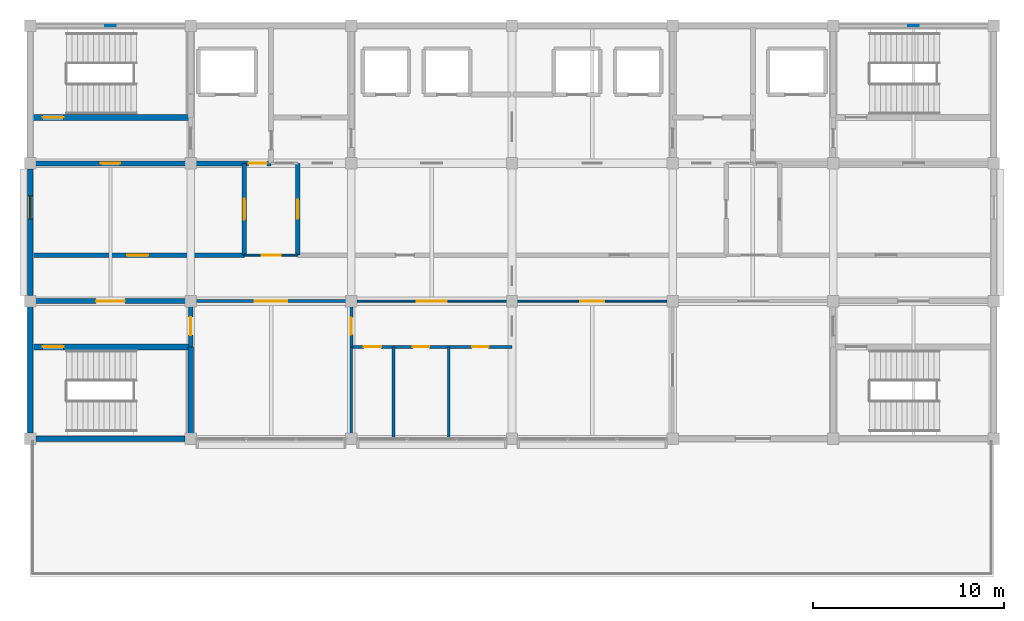
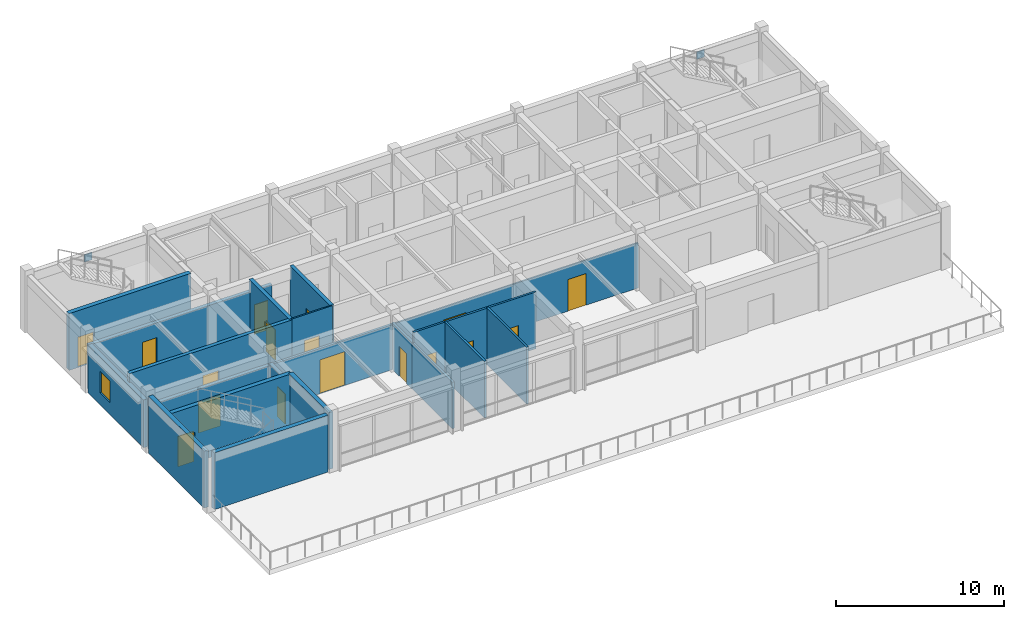
# One storey, part 6 of 11: 20 walls, 17 doors, 2 plates, 1 window, 18 openings.
"""IFC4 building model written with IfcOpenShell, lengths in metres."""

from ifc_helpers import new_model, si_unit, direction, frame, frame_2d, origin, origin_2d, place, context, subcontext, project, spatial, rectangle, extrude, material, layer, layer_set, type_object, element, fill, save


model = new_model("IFC4")

# Units and contexts
model_context = context("Model", 3, precision=1e-05, world=origin(), true_north=direction((0.0, 1.0)))
body_context = subcontext(model_context, "Body", "Model", "MODEL_VIEW")
ifc_project = project(units=[si_unit("LENGTHUNIT", "METRE"), si_unit("AREAUNIT", "SQUARE_METRE"), si_unit("VOLUMEUNIT", "CUBIC_METRE"), si_unit("PLANEANGLEUNIT", "RADIAN"), si_unit("MASSUNIT", "GRAM", prefix="KILO")], contexts=[model_context])

# Site, building, storey
site_placement = place(None, origin())
site = spatial("IfcSite", under=ifc_project, at=site_placement, CompositionType="ELEMENT")
building_placement = place(site_placement, origin())
building = spatial("IfcBuilding", under=site, at=building_placement, Name="Chengyuan Square Courthouse", CompositionType="ELEMENT")
storey_placement = place(building_placement, frame((0.0, 0.0, 68.699951171875)))
storey = spatial("IfcBuildingStorey", under=building, at=storey_placement, Name="L16", CompositionType="ELEMENT", Elevation=68.699951171875)

# Plates
ifc_material_1 = material(Name="Steel Q355B", Category="steel")
ifc_layer_1 = layer(ifc_material_1, 0.0400390625)
ifc_layer_set_1 = layer_set([ifc_layer_1], Name="Steel Q355B")
plate_type = type_object("IfcPlateType", Name="GP-03", PredefinedType="SHEET", material=ifc_layer_set_1)
for number, where, z_axis, x_axis, name in (
    (1, (63.0, 108.0, 3.5), (0.0, 0.0, 1.0), (1.0, 0.0, 0.0), "Brace Gusset Plate GP-L16-07"),
    (2, (105.0, 108.0, 3.5), (0.0, 0.0, 1.0), (1.0, 0.0, 0.0), "Brace Gusset Plate GP-L16-12"),
):
    element("IfcPlate", number, at=place(storey_placement, frame(where, z_axis=z_axis, x_axis=x_axis)), inside=storey, type_object=plate_type, Name=name, PredefinedType="SHEET", context=body_context, shape_type="SweptSolid", body=[
        extrude(rectangle(XDim=0.5400390625, YDim=0.0400390625, at=origin_2d()), origin(), (0.0, 0.0, 1.0), 0.5400390625),
    ])

# Wall, opening, window
ifc_material_2 = material(Name="Concrete C40", Category="concrete")
ifc_layer_2 = layer(ifc_material_2, 0.280029296875)
ifc_layer_set_2 = layer_set([ifc_layer_2], Name="Concrete C40")
wall_type_1 = type_object("IfcWallType", Name="WL-EW4", PredefinedType="STANDARD", material=ifc_layer_set_2)
wall_1_placement = place(storey_placement, frame((58.800048828125, 93.89501953125, 0.0), z_axis=(0.0, 0.0, 1.0), x_axis=(0.0, 1.0, 0.0)))
wall_1 = element("IfcWall", 3, at=wall_1_placement, inside=storey, type_object=wall_type_1, Name="Exterior Wall WL-L16-E538", PredefinedType="STANDARD", context=body_context, shape_type="SweptSolid", body=[
    extrude(rectangle(XDim=6.60986328125, YDim=0.280029296875, at=frame_2d((3.304931640625, 0.0))), origin(), (0.0, 0.0, 1.0), 3.469970703125),
])
opening_1_placement = place(wall_1_placement, frame((4.0048828125, 0.0, 0.85009765625)))
opening_1 = element("IfcOpeningElement", 4, at=opening_1_placement, cuts=wall_1, Name="Opening WN-246", PredefinedType="OPENING", context=body_context, shape_type="SweptSolid", body=[
    extrude(rectangle(XDim=1.199951171875, YDim=1.56005859375, at=frame_2d((0.60009765625, 0.780029296875))), frame((0.0, 0.152099609375, 0.0), z_axis=(0.0, -1.0, 0.0), x_axis=(1.0, 0.0, 0.0)), (0.0, 0.0, 1.0), 0.303955078125),
])
ifc_material_3 = material(Name="Thermally Broken Aluminium Triple Low-E Window", Category="aluminium")
window_type = type_object("IfcWindowType", Name="WT-15", PartitioningType="SINGLE_PANEL", PredefinedType="WINDOW", material=ifc_material_3)
window_placement = place(opening_1_placement, origin())
window = element("IfcWindow", 5, at=window_placement, inside=storey, type_object=window_type, Name="Facade Window WN-246", OverallHeight=1.56005859375, OverallWidth=1.199951171875, PartitioningType="SINGLE_PANEL", PredefinedType="WINDOW", context=body_context, shape_type="SweptSolid", body=[
    extrude(rectangle(XDim=1.199951171875, YDim=1.56005859375, at=frame_2d((0.60009765625, 0.780029296875))), frame((0.0, 0.030029296875, 0.0), z_axis=(0.0, -1.0, 0.0), x_axis=(1.0, 0.0, 0.0)), (0.0, 0.0, 1.0), 0.06005859375),
])
fill(opening_1, window)

# Wall, opening, door
ifc_layer_3 = layer(ifc_material_2, 0.25)
ifc_layer_set_3 = layer_set([ifc_layer_3], Name="Concrete C40")
wall_type_2 = type_object("IfcWallType", Name="WL-FW1", PredefinedType="STANDARD", material=ifc_layer_set_3)
wall_2_placement = place(storey_placement, frame((58.840087890625, 93.60009765625, 0.0), z_axis=(0.0, 0.0, 1.0), x_axis=(1.0, 0.0, 0.0)))
wall_2 = element("IfcWall", 6, at=wall_2_placement, inside=storey, type_object=wall_type_2, Name="Interior Wall WL-L16-I4088", PredefinedType="STANDARD", context=body_context, shape_type="SweptSolid", body=[
    extrude(rectangle(XDim=8.35986328125, YDim=0.25, at=frame_2d((4.179931640625, 0.0))), origin(), (0.0, 0.0, 1.0), 3.27001953125),
])
opening_2_placement = place(wall_2_placement, frame((3.409912109375, 0.0, 0.0)))
opening_2 = element("IfcOpeningElement", 7, at=opening_2_placement, cuts=wall_2, Name="Opening DR-3378", PredefinedType="OPENING", context=body_context, shape_type="SweptSolid", body=[
    extrude(rectangle(XDim=1.5, YDim=2.25, at=frame_2d((0.75, 1.125))), frame((0.0, 0.136962890625, 0.0), z_axis=(0.0, -1.0, 0.0), x_axis=(1.0, 0.0, 0.0)), (0.0, 0.0, 1.0), 0.27392578125),
])
ifc_material_4 = material(Name="Steel Q235B Glazed Fire Door", Category="steel")
door_type_1 = type_object("IfcDoorType", Name="DT-19", OperationType="DOUBLE_DOOR_SINGLE_SWING", PredefinedType="DOOR", material=ifc_material_4)
door_1_placement = place(opening_2_placement, frame((1.5, 0.0, 0.0), z_axis=(0.0, 0.0, 1.0), x_axis=(-1.0, 0.0, 0.0)))
door_1 = element("IfcDoor", 8, at=door_1_placement, inside=storey, type_object=door_type_1, Name="Interior Door DR-3378", OperationType="DOUBLE_DOOR_SINGLE_SWING", OverallHeight=2.25, OverallWidth=1.5, PredefinedType="DOOR", context=body_context, shape_type="SweptSolid", body=[
    extrude(rectangle(XDim=1.5, YDim=2.25, at=frame_2d((0.75, 1.125))), frame((0.0, 0.02490234375, 0.0), z_axis=(0.0, -1.0, 0.0), x_axis=(1.0, 0.0, 0.0)), (0.0, 0.0, 1.0), 0.050048828125),
])
fill(opening_2, door_1)

wall_3_placement = place(storey_placement, frame((58.840087890625, 96.0, 0.0), z_axis=(0.0, 0.0, 1.0), x_axis=(1.0, 0.0, 0.0)))
wall_3 = element("IfcWall", 9, at=wall_3_placement, inside=storey, type_object=wall_type_2, Name="Interior Wall WL-L16-I4093", PredefinedType="STANDARD", context=body_context, shape_type="SweptSolid", body=[
    extrude(rectangle(XDim=11.159912109375, YDim=0.25, at=frame_2d((5.580078125, 0.0))), origin(), (0.0, 0.0, 1.0), 4.1201171875),
])
opening_3_placement = place(wall_3_placement, frame((5.030029296875, 0.0, 0.0)))
opening_3 = element("IfcOpeningElement", 10, at=opening_3_placement, cuts=wall_3, Name="Opening DR-3404", PredefinedType="OPENING", context=body_context, shape_type="SweptSolid", body=[
    extrude(rectangle(XDim=1.10009765625, YDim=2.199951171875, at=frame_2d((0.550048828125, 1.10009765625))), frame((0.0, 0.136962890625, 0.0), z_axis=(0.0, -1.0, 0.0), x_axis=(1.0, 0.0, 0.0)), (0.0, 0.0, 1.0), 0.27392578125),
])
ifc_material_5 = material(Name="Steel Q235B Fire Door", Category="steel")
door_type_2 = type_object("IfcDoorType", Name="DT-10", OperationType="NOTDEFINED", PredefinedType="DOOR", material=ifc_material_5)
door_2_placement = place(opening_3_placement, origin())
door_2 = element("IfcDoor", 11, at=door_2_placement, inside=storey, type_object=door_type_2, Name="Interior Door DR-3404", OperationType="SINGLE_SWING_LEFT", OverallHeight=2.199951171875, OverallWidth=1.10009765625, PredefinedType="DOOR", context=body_context, shape_type="SweptSolid", body=[
    extrude(rectangle(XDim=1.10009765625, YDim=2.199951171875, at=frame_2d((0.550048828125, 1.10009765625))), frame((0.0, 0.02490234375, 0.0), z_axis=(0.0, -1.0, 0.0), x_axis=(1.0, 0.0, 0.0)), (0.0, 0.0, 1.0), 0.050048828125),
])
fill(opening_3, door_2)

# Wall, openings, doors
wall_4_placement = place(storey_placement, frame((58.840087890625, 100.800048828125, 0.0), z_axis=(0.0, 0.0, 1.0), x_axis=(1.0, 0.0, 0.0)))
wall_4 = element("IfcWall", 12, at=wall_4_placement, inside=storey, type_object=wall_type_2, Name="Interior Wall WL-L16-I4098", PredefinedType="STANDARD", context=body_context, shape_type="SweptSolid", body=[
    extrude(rectangle(XDim=12.559814453125, YDim=0.25, at=frame_2d((6.27978515625, 0.0))), origin(), (0.0, 0.0, 1.0), 3.27001953125),
])
opening_4_placement = place(wall_4_placement, frame((3.659912109375, 0.0, 0.0)))
opening_4 = element("IfcOpeningElement", 13, at=opening_4_placement, cuts=wall_4, Name="Opening DR-3375", PredefinedType="OPENING", context=body_context, shape_type="SweptSolid", body=[
    extrude(rectangle(XDim=1.0, YDim=2.199951171875, at=frame_2d((0.5, 1.10009765625))), frame((0.0, 0.136962890625, 0.0), z_axis=(0.0, -1.0, 0.0), x_axis=(1.0, 0.0, 0.0)), (0.0, 0.0, 1.0), 0.27392578125),
])
opening_5_placement = place(wall_4_placement, frame((11.385009765625, 0.0, 0.0)))
opening_5 = element("IfcOpeningElement", 14, at=opening_5_placement, cuts=wall_4, Name="Opening DR-3383", PredefinedType="OPENING", context=body_context, shape_type="SweptSolid", body=[
    extrude(rectangle(XDim=0.949951171875, YDim=2.14990234375, at=frame_2d((0.47509765625, 1.074951171875))), frame((0.0, 0.136962890625, 0.0), z_axis=(0.0, -1.0, 0.0), x_axis=(1.0, 0.0, 0.0)), (0.0, 0.0, 1.0), 0.27392578125),
])
door_type_3 = type_object("IfcDoorType", Name="DT-11", OperationType="NOTDEFINED", PredefinedType="DOOR", material=ifc_material_5)
door_3_placement = place(opening_4_placement, origin())
door_3 = element("IfcDoor", 15, at=door_3_placement, inside=storey, type_object=door_type_3, Name="Interior Door DR-3375", OperationType="SINGLE_SWING_RIGHT", OverallHeight=2.199951171875, OverallWidth=1.0, PredefinedType="DOOR", context=body_context, shape_type="SweptSolid", body=[
    extrude(rectangle(XDim=1.0, YDim=2.199951171875, at=frame_2d((0.5, 1.10009765625))), frame((0.0, 0.02490234375, 0.0), z_axis=(0.0, -1.0, 0.0), x_axis=(1.0, 0.0, 0.0)), (0.0, 0.0, 1.0), 0.050048828125),
])
fill(opening_4, door_3)
door_type_4 = type_object("IfcDoorType", Name="DT-12", OperationType="NOTDEFINED", PredefinedType="DOOR", material=ifc_material_5)
door_4_placement = place(opening_5_placement, origin())
door_4 = element("IfcDoor", 16, at=door_4_placement, inside=storey, type_object=door_type_4, Name="Interior Door DR-3383", OperationType="SINGLE_SWING_RIGHT", OverallHeight=2.14990234375, OverallWidth=0.949951171875, PredefinedType="DOOR", context=body_context, shape_type="SweptSolid", body=[
    extrude(rectangle(XDim=0.949951171875, YDim=2.14990234375, at=frame_2d((0.47509765625, 1.074951171875))), frame((0.0, 0.02490234375, 0.0), z_axis=(0.0, -1.0, 0.0), x_axis=(1.0, 0.0, 0.0)), (0.0, 0.0, 1.0), 0.050048828125),
])
fill(opening_5, door_4)

# Wall, opening, door
wall_5_placement = place(storey_placement, frame((67.199951171875, 91.199951171875, 0.0), z_axis=(0.0, 0.0, 1.0), x_axis=(0.0, 1.0, 0.0)))
wall_5 = element("IfcWall", 17, at=wall_5_placement, inside=storey, type_object=wall_type_2, Name="Interior Wall WL-L16-I4122", PredefinedType="STANDARD", context=body_context, shape_type="SweptSolid", body=[
    extrude(rectangle(XDim=2.400146484375, YDim=0.25, at=frame_2d((1.2001953125, 0.0))), origin(), (0.0, 0.0, 1.0), 3.3701171875),
])
opening_6_placement = place(wall_5_placement, frame((0.614990234375, 0.0, 0.0)))
opening_6 = element("IfcOpeningElement", 18, at=opening_6_placement, cuts=wall_5, Name="Opening DR-3379", PredefinedType="OPENING", context=body_context, shape_type="SweptSolid", body=[
    extrude(rectangle(XDim=0.949951171875, YDim=2.14990234375, at=frame_2d((0.47509765625, 1.074951171875))), frame((0.0, 0.136962890625, 0.0), z_axis=(0.0, -1.0, 0.0), x_axis=(1.0, 0.0, 0.0)), (0.0, 0.0, 1.0), 0.27392578125),
])
door_5_placement = place(opening_6_placement, origin())
door_5 = element("IfcDoor", 19, at=door_5_placement, inside=storey, type_object=door_type_4, Name="Interior Door DR-3379", OperationType="SINGLE_SWING_LEFT", OverallHeight=2.14990234375, OverallWidth=0.949951171875, PredefinedType="DOOR", context=body_context, shape_type="SweptSolid", body=[
    extrude(rectangle(XDim=0.949951171875, YDim=2.14990234375, at=frame_2d((0.47509765625, 1.074951171875))), frame((0.0, 0.02490234375, 0.0), z_axis=(0.0, -1.0, 0.0), x_axis=(1.0, 0.0, 0.0)), (0.0, 0.0, 1.0), 0.050048828125),
])
fill(opening_6, door_5)

wall_6_placement = place(storey_placement, frame((70.0, 96.0, 0.0), z_axis=(0.0, 0.0, 1.0), x_axis=(0.0, 1.0, 0.0)))
wall_6 = element("IfcWall", 20, at=wall_6_placement, inside=storey, type_object=wall_type_2, Name="Interior Wall WL-L16-I4127", PredefinedType="STANDARD", context=body_context, shape_type="SweptSolid", body=[
    extrude(rectangle(XDim=4.800048828125, YDim=0.25, at=frame_2d((2.39990234375, 0.0))), origin(), (0.0, 0.0, 1.0), 4.1201171875),
])
opening_7_placement = place(wall_6_placement, frame((1.85009765625, 0.0, 0.0)))
opening_7 = element("IfcOpeningElement", 21, at=opening_7_placement, cuts=wall_6, Name="Opening DR-3413", PredefinedType="OPENING", context=body_context, shape_type="SweptSolid", body=[
    extrude(rectangle(XDim=1.10009765625, YDim=2.199951171875, at=frame_2d((0.550048828125, 1.10009765625))), frame((0.0, 0.136962890625, 0.0), z_axis=(0.0, -1.0, 0.0), x_axis=(1.0, 0.0, 0.0)), (0.0, 0.0, 1.0), 0.27392578125),
])
door_6_placement = place(opening_7_placement, origin())
door_6 = element("IfcDoor", 22, at=door_6_placement, inside=storey, type_object=door_type_2, Name="Interior Door DR-3413", OperationType="SINGLE_SWING_RIGHT", OverallHeight=2.199951171875, OverallWidth=1.10009765625, PredefinedType="DOOR", context=body_context, shape_type="SweptSolid", body=[
    extrude(rectangle(XDim=1.10009765625, YDim=2.199951171875, at=frame_2d((0.550048828125, 1.10009765625))), frame((0.0, 0.02490234375, 0.0), z_axis=(0.0, -1.0, 0.0), x_axis=(1.0, 0.0, 0.0)), (0.0, 0.0, 1.0), 0.050048828125),
])
fill(opening_7, door_6)

wall_7_placement = place(storey_placement, frame((72.800048828125, 96.0, 0.0), z_axis=(0.0, 0.0, 1.0), x_axis=(0.0, 1.0, 0.0)))
wall_7 = element("IfcWall", 23, at=wall_7_placement, inside=storey, type_object=wall_type_2, Name="Interior Wall WL-L16-I4131", PredefinedType="STANDARD", context=body_context, shape_type="SweptSolid", body=[
    extrude(rectangle(XDim=4.800048828125, YDim=0.25, at=frame_2d((2.39990234375, 0.0))), origin(), (0.0, 0.0, 1.0), 4.1201171875),
])
opening_8_placement = place(wall_7_placement, frame((1.89990234375, 0.0, 0.0)))
opening_8 = element("IfcOpeningElement", 24, at=opening_8_placement, cuts=wall_7, Name="Opening DR-3414", PredefinedType="OPENING", context=body_context, shape_type="SweptSolid", body=[
    extrude(rectangle(XDim=1.0, YDim=2.199951171875, at=frame_2d((0.5, 1.10009765625))), frame((0.0, 0.136962890625, 0.0), z_axis=(0.0, -1.0, 0.0), x_axis=(1.0, 0.0, 0.0)), (0.0, 0.0, 1.0), 0.27392578125),
])
door_7_placement = place(opening_8_placement, origin())
door_7 = element("IfcDoor", 25, at=door_7_placement, inside=storey, type_object=door_type_3, Name="Interior Door DR-3414", OperationType="SINGLE_SWING_LEFT", OverallHeight=2.199951171875, OverallWidth=1.0, PredefinedType="DOOR", context=body_context, shape_type="SweptSolid", body=[
    extrude(rectangle(XDim=1.0, YDim=2.199951171875, at=frame_2d((0.5, 1.10009765625))), frame((0.0, 0.02490234375, 0.0), z_axis=(0.0, -1.0, 0.0), x_axis=(1.0, 0.0, 0.0)), (0.0, 0.0, 1.0), 0.050048828125),
])
fill(opening_8, door_7)

ifc_material_6 = material(Name="Acoustic Timber-Lined Gypsum Partition", Category="wood")
ifc_layer_4 = layer(ifc_material_6, 0.159912109375)
ifc_layer_set_4 = layer_set([ifc_layer_4], Name="Acoustic Timber-Lined Gypsum Partition")
wall_type_3 = type_object("IfcWallType", Name="WL-PT2", PredefinedType="STANDARD", material=ifc_layer_set_4)
wall_8_placement = place(storey_placement, frame((67.199951171875, 93.60009765625, 0.0), z_axis=(0.0, 0.0, 1.0), x_axis=(1.0, 0.0, 0.0)))
wall_8 = element("IfcWall", 26, at=wall_8_placement, inside=storey, type_object=wall_type_3, Name="Interior Wall WL-L16-I4089", PredefinedType="STANDARD", context=body_context, shape_type="SweptSolid", body=[
    extrude(rectangle(XDim=8.400146484375, YDim=0.159912109375, at=frame_2d((4.2001953125, 0.0))), origin(), (0.0, 0.0, 1.0), 3.27001953125),
])
opening_9_placement = place(wall_8_placement, frame((3.35009765625, 0.0, 0.0)))
opening_9 = element("IfcOpeningElement", 27, at=opening_9_placement, cuts=wall_8, Name="Opening DR-3407", PredefinedType="OPENING", context=body_context, shape_type="SweptSolid", body=[
    extrude(rectangle(XDim=1.699951171875, YDim=2.449951171875, at=frame_2d((0.85009765625, 1.22509765625))), frame((0.0, 0.092041015625, 0.0), z_axis=(0.0, -1.0, 0.0), x_axis=(1.0, 0.0, 0.0)), (0.0, 0.0, 1.0), 0.183837890625),
])
ifc_material_7 = material(Name="Acoustic Larch Veneer Double Door")
door_type_5 = type_object("IfcDoorType", Name="DT-24", OperationType="DOUBLE_DOOR_SINGLE_SWING", PredefinedType="DOOR", material=ifc_material_7)
door_8_placement = place(opening_9_placement, frame((1.699951171875, 0.0, 0.0), z_axis=(0.0, 0.0, 1.0), x_axis=(-1.0, 0.0, 0.0)))
door_8 = element("IfcDoor", 28, at=door_8_placement, inside=storey, type_object=door_type_5, Name="Interior Door DR-3407", OperationType="DOUBLE_DOOR_SINGLE_SWING", OverallHeight=2.449951171875, OverallWidth=1.699951171875, PredefinedType="DOOR", context=body_context, shape_type="SweptSolid", body=[
    extrude(rectangle(XDim=1.699951171875, YDim=2.449951171875, at=frame_2d((0.85009765625, 1.22509765625))), frame((0.0, 0.02490234375, 0.0), z_axis=(0.0, -1.0, 0.0), x_axis=(1.0, 0.0, 0.0)), (0.0, 0.0, 1.0), 0.050048828125),
])
fill(opening_9, door_8)

wall_9_placement = place(storey_placement, frame((75.60009765625, 91.199951171875, 0.0), z_axis=(0.0, 0.0, 1.0), x_axis=(0.0, 1.0, 0.0)))
wall_9 = element("IfcWall", 29, at=wall_9_placement, inside=storey, type_object=wall_type_3, Name="Interior Wall WL-L16-I4133", PredefinedType="STANDARD", context=body_context, shape_type="SweptSolid", body=[
    extrude(rectangle(XDim=2.400146484375, YDim=0.159912109375, at=frame_2d((1.2001953125, 0.0))), origin(), (0.0, 0.0, 1.0), 3.3701171875),
])
opening_10_placement = place(wall_9_placement, frame((0.639892578125, 0.0, 0.0)))
opening_10 = element("IfcOpeningElement", 30, at=opening_10_placement, cuts=wall_9, Name="Opening DR-3401", PredefinedType="OPENING", context=body_context, shape_type="SweptSolid", body=[
    extrude(rectangle(XDim=0.89990234375, YDim=2.14990234375, at=frame_2d((0.449951171875, 1.074951171875))), frame((0.0, 0.092041015625, 0.0), z_axis=(0.0, -1.0, 0.0), x_axis=(1.0, 0.0, 0.0)), (0.0, 0.0, 1.0), 0.183837890625),
])
ifc_material_8 = material(Name="Acoustic Solid-Core Timber Door", Category="wood")
door_type_6 = type_object("IfcDoorType", Name="DT-27", OperationType="NOTDEFINED", PredefinedType="DOOR", material=ifc_material_8)
door_9_placement = place(opening_10_placement, origin())
door_9 = element("IfcDoor", 31, at=door_9_placement, inside=storey, type_object=door_type_6, Name="Interior Door DR-3401", OperationType="SINGLE_SWING_RIGHT", OverallHeight=2.14990234375, OverallWidth=0.89990234375, PredefinedType="DOOR", context=body_context, shape_type="SweptSolid", body=[
    extrude(rectangle(XDim=0.89990234375, YDim=2.14990234375, at=frame_2d((0.449951171875, 1.074951171875))), frame((0.0, 0.02490234375, 0.0), z_axis=(0.0, -1.0, 0.0), x_axis=(1.0, 0.0, 0.0)), (0.0, 0.0, 1.0), 0.050048828125),
])
fill(opening_10, door_9)

# Wall, openings, doors
ifc_material_9 = material(Name="Moisture-Resistant Masonry Wet-Room Partition", Category="masonry")
ifc_layer_5 = layer(ifc_material_9, 0.139892578125)
ifc_layer_set_5 = layer_set([ifc_layer_5], Name="Moisture-Resistant Masonry Wet-Room Partition")
wall_type_4 = type_object("IfcWallType", Name="WL-PT4", PredefinedType="STANDARD", material=ifc_layer_set_5)
wall_10_placement = place(storey_placement, frame((75.60009765625, 91.199951171875, 0.0), z_axis=(0.0, 0.0, 1.0), x_axis=(1.0, 0.0, 0.0)))
wall_10 = element("IfcWall", 32, at=wall_10_placement, inside=storey, type_object=wall_type_4, Name="Interior Wall WL-L16-I4086", PredefinedType="STANDARD", context=body_context, shape_type="SweptSolid", body=[
    extrude(rectangle(XDim=8.39990234375, YDim=0.139892578125, at=frame_2d((4.199951171875, 0.0))), origin(), (0.0, 0.0, 1.0), 4.1201171875),
])
opening_11_placement = place(wall_10_placement, frame((0.64990234375, 0.0, 0.0)))
opening_11 = element("IfcOpeningElement", 33, at=opening_11_placement, cuts=wall_10, Name="Opening DR-3397", PredefinedType="OPENING", context=body_context, shape_type="SweptSolid", body=[
    extrude(rectangle(XDim=0.89990234375, YDim=2.14990234375, at=frame_2d((0.449951171875, 1.074951171875))), frame((0.0, 0.08203125, 0.0), z_axis=(0.0, -1.0, 0.0), x_axis=(1.0, 0.0, 0.0)), (0.0, 0.0, 1.0), 0.163818359375),
])
opening_12_placement = place(wall_10_placement, frame((3.219970703125, 0.0, 0.0)))
opening_12 = element("IfcOpeningElement", 34, at=opening_12_placement, cuts=wall_10, Name="Opening DR-3398", PredefinedType="OPENING", context=body_context, shape_type="SweptSolid", body=[
    extrude(rectangle(XDim=0.860107421875, YDim=2.10009765625, at=frame_2d((0.43017578125, 1.050048828125))), frame((0.0, 0.08203125, 0.0), z_axis=(0.0, -1.0, 0.0), x_axis=(1.0, 0.0, 0.0)), (0.0, 0.0, 1.0), 0.163818359375),
])
opening_13_placement = place(wall_10_placement, frame((6.320068359375, 0.0, 0.0)))
opening_13 = element("IfcOpeningElement", 35, at=opening_13_placement, cuts=wall_10, Name="Opening DR-3399", PredefinedType="OPENING", context=body_context, shape_type="SweptSolid", body=[
    extrude(rectangle(XDim=0.860107421875, YDim=2.10009765625, at=frame_2d((0.43017578125, 1.050048828125))), frame((0.0, 0.08203125, 0.0), z_axis=(0.0, -1.0, 0.0), x_axis=(1.0, 0.0, 0.0)), (0.0, 0.0, 1.0), 0.163818359375),
])
door_10_placement = place(opening_11_placement, origin())
door_10 = element("IfcDoor", 36, at=door_10_placement, inside=storey, type_object=door_type_6, Name="Interior Door DR-3397", OperationType="SINGLE_SWING_LEFT", OverallHeight=2.14990234375, OverallWidth=0.89990234375, PredefinedType="DOOR", context=body_context, shape_type="SweptSolid", body=[
    extrude(rectangle(XDim=0.89990234375, YDim=2.14990234375, at=frame_2d((0.449951171875, 1.074951171875))), frame((0.0, 0.02490234375, 0.0), z_axis=(0.0, -1.0, 0.0), x_axis=(1.0, 0.0, 0.0)), (0.0, 0.0, 1.0), 0.050048828125),
])
fill(opening_11, door_10)
door_type_7 = type_object("IfcDoorType", Name="DT-28", OperationType="NOTDEFINED", PredefinedType="DOOR", material=ifc_material_8)
door_11_placement = place(opening_12_placement, origin())
door_11 = element("IfcDoor", 37, at=door_11_placement, inside=storey, type_object=door_type_7, Name="Interior Door DR-3398", OperationType="SINGLE_SWING_RIGHT", OverallHeight=2.10009765625, OverallWidth=0.860107421875, PredefinedType="DOOR", context=body_context, shape_type="SweptSolid", body=[
    extrude(rectangle(XDim=0.860107421875, YDim=2.10009765625, at=frame_2d((0.43017578125, 1.050048828125))), frame((0.0, 0.02490234375, 0.0), z_axis=(0.0, -1.0, 0.0), x_axis=(1.0, 0.0, 0.0)), (0.0, 0.0, 1.0), 0.050048828125),
])
fill(opening_12, door_11)
door_12_placement = place(opening_13_placement, origin())
door_12 = element("IfcDoor", 38, at=door_12_placement, inside=storey, type_object=door_type_7, Name="Interior Door DR-3399", OperationType="SINGLE_SWING_LEFT", OverallHeight=2.10009765625, OverallWidth=0.860107421875, PredefinedType="DOOR", context=body_context, shape_type="SweptSolid", body=[
    extrude(rectangle(XDim=0.860107421875, YDim=2.10009765625, at=frame_2d((0.43017578125, 1.050048828125))), frame((0.0, 0.02490234375, 0.0), z_axis=(0.0, -1.0, 0.0), x_axis=(1.0, 0.0, 0.0)), (0.0, 0.0, 1.0), 0.050048828125),
])
fill(opening_13, door_12)

# Walls
wall_11_placement = place(storey_placement, frame((75.60009765625, 86.43994140625, 0.0), z_axis=(0.0, 0.0, 1.0), x_axis=(0.0, 1.0, 0.0)))
element("IfcWall", 39, at=wall_11_placement, inside=storey, type_object=wall_type_4, Name="Interior Wall WL-L16-I4132", PredefinedType="STANDARD", context=body_context, shape_type="SweptSolid", body=[
    extrude(rectangle(XDim=4.760009765625, YDim=0.139892578125, at=frame_2d((2.3798828125, 0.0))), origin(), (0.0, 0.0, 1.0), 3.3701171875),
])
for number, where, z_axis, x_axis, name in (
    (40, (77.800048828125, 86.43994140625, 0.0), (0.0, 0.0, 1.0), (0.0, 1.0, 0.0), "Interior Wall WL-L16-I4137"),
    (41, (80.699951171875, 86.43994140625, 0.0), (0.0, 0.0, 1.0), (0.0, 1.0, 0.0), "Interior Wall WL-L16-I4140"),
):
    element("IfcWall", number, at=place(storey_placement, frame(where, z_axis=z_axis, x_axis=x_axis)), inside=storey, type_object=wall_type_4, Name=name, PredefinedType="STANDARD", context=body_context, shape_type="SweptSolid", body=[
        extrude(rectangle(XDim=4.760009765625, YDim=0.139892578125, at=frame_2d((2.3798828125, 0.0))), origin(), (0.0, 0.0, 1.0), 4.1201171875),
    ])

# Wall, openings, doors
ifc_material_10 = material(Name="Gypsum Plasterboard Acoustic Stud Partition")
ifc_layer_6 = layer(ifc_material_10, 0.10009765625)
ifc_layer_set_6 = layer_set([ifc_layer_6], Name="Gypsum Plasterboard Acoustic Stud Partition")
wall_type_5 = type_object("IfcWallType", Name="WL-PT6", PredefinedType="STANDARD", material=ifc_layer_set_6)
wall_12_placement = place(storey_placement, frame((75.60009765625, 93.60009765625, 0.0), z_axis=(0.0, 0.0, 1.0), x_axis=(1.0, 0.0, 0.0)))
wall_12 = element("IfcWall", 42, at=wall_12_placement, inside=storey, type_object=wall_type_5, Name="Interior Wall WL-L16-I4090", PredefinedType="STANDARD", context=body_context, shape_type="SweptSolid", body=[
    extrude(rectangle(XDim=16.7998046875, YDim=0.10009765625, at=frame_2d((8.39990234375, 0.0))), origin(), (0.0, 0.0, 1.0), 3.27001953125),
])
opening_14_placement = place(wall_12_placement, frame((3.425048828125, 0.0, 0.0)))
opening_14 = element("IfcOpeningElement", 43, at=opening_14_placement, cuts=wall_12, Name="Opening DR-3400", PredefinedType="OPENING", context=body_context, shape_type="SweptSolid", body=[
    extrude(rectangle(XDim=1.550048828125, YDim=2.35009765625, at=frame_2d((0.77490234375, 1.175048828125))), frame((0.0, 0.06201171875, 0.0), z_axis=(0.0, -1.0, 0.0), x_axis=(1.0, 0.0, 0.0)), (0.0, 0.0, 1.0), 0.1240234375),
])
opening_15_placement = place(wall_12_placement, frame((11.97998046875, 0.0, 0.0)))
opening_15 = element("IfcOpeningElement", 44, at=opening_15_placement, cuts=wall_12, Name="Opening DR-3411", PredefinedType="OPENING", context=body_context, shape_type="SweptSolid", body=[
    extrude(rectangle(XDim=1.239990234375, YDim=2.300048828125, at=frame_2d((0.6201171875, 1.14990234375))), frame((0.0, 0.06201171875, 0.0), z_axis=(0.0, -1.0, 0.0), x_axis=(1.0, 0.0, 0.0)), (0.0, 0.0, 1.0), 0.1240234375),
])
door_type_8 = type_object("IfcDoorType", Name="DT-23", OperationType="DOUBLE_DOOR_SINGLE_SWING", PredefinedType="DOOR", material=ifc_material_7)
door_13_placement = place(opening_14_placement, frame((1.550048828125, 0.0, 0.0), z_axis=(0.0, 0.0, 1.0), x_axis=(-1.0, 0.0, 0.0)))
door_13 = element("IfcDoor", 45, at=door_13_placement, inside=storey, type_object=door_type_8, Name="Interior Door DR-3400", OperationType="DOUBLE_DOOR_SINGLE_SWING", OverallHeight=2.35009765625, OverallWidth=1.550048828125, PredefinedType="DOOR", context=body_context, shape_type="SweptSolid", body=[
    extrude(rectangle(XDim=1.550048828125, YDim=2.35009765625, at=frame_2d((0.77490234375, 1.175048828125))), frame((0.0, 0.02490234375, 0.0), z_axis=(0.0, -1.0, 0.0), x_axis=(1.0, 0.0, 0.0)), (0.0, 0.0, 1.0), 0.050048828125),
])
fill(opening_14, door_13)
door_type_9 = type_object("IfcDoorType", Name="DT-37", OperationType="NOTDEFINED", PredefinedType="DOOR", material=ifc_material_8)
door_14_placement = place(opening_15_placement, origin())
door_14 = element("IfcDoor", 46, at=door_14_placement, inside=storey, type_object=door_type_9, Name="Interior Door DR-3411", OperationType="SINGLE_SWING_LEFT", OverallHeight=2.300048828125, OverallWidth=1.239990234375, PredefinedType="DOOR", context=body_context, shape_type="SweptSolid", body=[
    extrude(rectangle(XDim=1.239990234375, YDim=2.300048828125, at=frame_2d((0.6201171875, 1.14990234375))), frame((0.0, 0.02490234375, 0.0), z_axis=(0.0, -1.0, 0.0), x_axis=(1.0, 0.0, 0.0)), (0.0, 0.0, 1.0), 0.050048828125),
])
fill(opening_15, door_14)

# Wall, opening, door
wall_13_placement = place(storey_placement, frame((70.0, 96.0, 0.0), z_axis=(0.0, 0.0, 1.0), x_axis=(1.0, 0.0, 0.0)))
wall_13 = element("IfcWall", 47, at=wall_13_placement, inside=storey, type_object=wall_type_5, Name="Interior Wall WL-L16-I4094", PredefinedType="STANDARD", context=body_context, shape_type="SweptSolid", body=[
    extrude(rectangle(XDim=2.800048828125, YDim=0.10009765625, at=frame_2d((1.39990234375, 0.0))), origin(), (0.0, 0.0, 1.0), 4.1201171875),
])
opening_16_placement = place(wall_13_placement, frame((0.89990234375, 0.0, 0.0)))
opening_16 = element("IfcOpeningElement", 48, at=opening_16_placement, cuts=wall_13, Name="Opening DR-3405", PredefinedType="OPENING", context=body_context, shape_type="SweptSolid", body=[
    extrude(rectangle(XDim=1.0, YDim=2.25, at=frame_2d((0.5, 1.125))), frame((0.0, 0.06201171875, 0.0), z_axis=(0.0, -1.0, 0.0), x_axis=(1.0, 0.0, 0.0)), (0.0, 0.0, 1.0), 0.1240234375),
])
door_type_10 = type_object("IfcDoorType", Name="DT-31", OperationType="NOTDEFINED", PredefinedType="DOOR", material=ifc_material_8)
door_15_placement = place(opening_16_placement, origin())
door_15 = element("IfcDoor", 49, at=door_15_placement, inside=storey, type_object=door_type_10, Name="Interior Door DR-3405", OperationType="SINGLE_SWING_RIGHT", OverallHeight=2.25, OverallWidth=1.0, PredefinedType="DOOR", context=body_context, shape_type="SweptSolid", body=[
    extrude(rectangle(XDim=1.0, YDim=2.25, at=frame_2d((0.5, 1.125))), frame((0.0, 0.02490234375, 0.0), z_axis=(0.0, -1.0, 0.0), x_axis=(1.0, 0.0, 0.0)), (0.0, 0.0, 1.0), 0.050048828125),
])
fill(opening_16, door_15)

# Walls
ifc_layer_7 = layer(ifc_material_2, 0.300048828125)
ifc_layer_set_7 = layer_set([ifc_layer_7], Name="Concrete C40")
wall_type_6 = type_object("IfcWallType", Name="WL-SW2", PredefinedType="SHEAR", material=ifc_layer_set_7)
wall_14_placement = place(storey_placement, frame((59.094970703125, 86.39990234375, 0.0), z_axis=(0.0, 0.0, 1.0), x_axis=(1.0, 0.0, 0.0)))
element("IfcWall", 50, at=wall_14_placement, inside=storey, type_object=wall_type_6, Name="Exterior Wall WL-L16-E536", PredefinedType="SHEAR", context=body_context, shape_type="SweptSolid", body=[
    extrude(rectangle(XDim=7.81005859375, YDim=0.300048828125, at=frame_2d((3.905029296875, 0.0))), origin(), (0.0, 0.0, 1.0), 4.1201171875),
])
wall_15_placement = place(storey_placement, frame((58.800048828125, 86.695068359375, 0.0), z_axis=(0.0, 0.0, 1.0), x_axis=(0.0, 1.0, 0.0)))
element("IfcWall", 51, at=wall_15_placement, inside=storey, type_object=wall_type_6, Name="Exterior Wall WL-L16-E537", PredefinedType="SHEAR", context=body_context, shape_type="SweptSolid", body=[
    extrude(rectangle(XDim=6.60986328125, YDim=0.300048828125, at=frame_2d((3.304931640625, 0.0))), origin(), (0.0, 0.0, 1.0), 4.1201171875),
])

# Wall, opening, door
wall_16_placement = place(storey_placement, frame((58.840087890625, 91.199951171875, 0.0), z_axis=(0.0, 0.0, 1.0), x_axis=(1.0, 0.0, 0.0)))
wall_16 = element("IfcWall", 52, at=wall_16_placement, inside=storey, type_object=wall_type_6, Name="Interior Wall WL-L16-I4085", PredefinedType="SHEAR", context=body_context, shape_type="SweptSolid", body=[
    extrude(rectangle(XDim=8.35986328125, YDim=0.300048828125, at=frame_2d((4.179931640625, 0.0))), origin(), (0.0, 0.0, 1.0), 4.1201171875),
])
opening_17_placement = place(wall_16_placement, frame((0.610107421875, 0.0, 0.0)))
opening_17 = element("IfcOpeningElement", 53, at=opening_17_placement, cuts=wall_16, Name="Opening DR-3372", PredefinedType="OPENING", context=body_context, shape_type="SweptSolid", body=[
    extrude(rectangle(XDim=1.10009765625, YDim=2.199951171875, at=frame_2d((0.550048828125, 1.10009765625))), frame((0.0, 0.162109375, 0.0), z_axis=(0.0, -1.0, 0.0), x_axis=(1.0, 0.0, 0.0)), (0.0, 0.0, 1.0), 0.323974609375),
])
door_16_placement = place(opening_17_placement, frame((1.10009765625, 0.0, 0.0), z_axis=(0.0, 0.0, 1.0), x_axis=(-1.0, 0.0, 0.0)))
door_16 = element("IfcDoor", 54, at=door_16_placement, inside=storey, type_object=door_type_2, Name="Smoke-Proof Stairwell Fire Door ST-3 DR-3372", OperationType="SINGLE_SWING_LEFT", OverallHeight=2.199951171875, OverallWidth=1.10009765625, PredefinedType="DOOR", context=body_context, shape_type="SweptSolid", body=[
    extrude(rectangle(XDim=1.10009765625, YDim=2.199951171875, at=frame_2d((0.550048828125, 1.10009765625))), frame((0.0, 0.02490234375, 0.0), z_axis=(0.0, -1.0, 0.0), x_axis=(1.0, 0.0, 0.0)), (0.0, 0.0, 1.0), 0.050048828125),
])
fill(opening_17, door_16)

wall_17_placement = place(storey_placement, frame((58.840087890625, 103.199951171875, 0.0), z_axis=(0.0, 0.0, 1.0), x_axis=(1.0, 0.0, 0.0)))
wall_17 = element("IfcWall", 55, at=wall_17_placement, inside=storey, type_object=wall_type_6, Name="Interior Wall WL-L16-I4103", PredefinedType="SHEAR", context=body_context, shape_type="SweptSolid", body=[
    extrude(rectangle(XDim=8.35986328125, YDim=0.300048828125, at=frame_2d((4.179931640625, 0.0))), origin(), (0.0, 0.0, 1.0), 4.1201171875),
])
opening_18_placement = place(wall_17_placement, frame((0.610107421875, 0.0, 0.0)))
opening_18 = element("IfcOpeningElement", 56, at=opening_18_placement, cuts=wall_17, Name="Opening DR-3370", PredefinedType="OPENING", context=body_context, shape_type="SweptSolid", body=[
    extrude(rectangle(XDim=1.10009765625, YDim=2.199951171875, at=frame_2d((0.550048828125, 1.10009765625))), frame((0.0, 0.162109375, 0.0), z_axis=(0.0, -1.0, 0.0), x_axis=(1.0, 0.0, 0.0)), (0.0, 0.0, 1.0), 0.323974609375),
])
door_17_placement = place(opening_18_placement, origin())
door_17 = element("IfcDoor", 57, at=door_17_placement, inside=storey, type_object=door_type_2, Name="Smoke-Proof Stairwell Fire Door ST-1 DR-3370", OperationType="SINGLE_SWING_LEFT", OverallHeight=2.199951171875, OverallWidth=1.10009765625, PredefinedType="DOOR", context=body_context, shape_type="SweptSolid", body=[
    extrude(rectangle(XDim=1.10009765625, YDim=2.199951171875, at=frame_2d((0.550048828125, 1.10009765625))), frame((0.0, 0.02490234375, 0.0), z_axis=(0.0, -1.0, 0.0), x_axis=(1.0, 0.0, 0.0)), (0.0, 0.0, 1.0), 0.050048828125),
])
fill(opening_18, door_17)

# Wall
wall_18_placement = place(storey_placement, frame((67.199951171875, 86.43994140625, 0.0), z_axis=(0.0, 0.0, 1.0), x_axis=(0.0, 1.0, 0.0)))
element("IfcWall", 58, at=wall_18_placement, inside=storey, type_object=wall_type_6, Name="Interior Wall WL-L16-I4121", PredefinedType="SHEAR", context=body_context, shape_type="SweptSolid", body=[
    extrude(rectangle(XDim=4.760009765625, YDim=0.300048828125, at=frame_2d((2.3798828125, 0.0))), origin(), (0.0, 0.0, 1.0), 4.1201171875),
])

save(model, "model.ifc")
